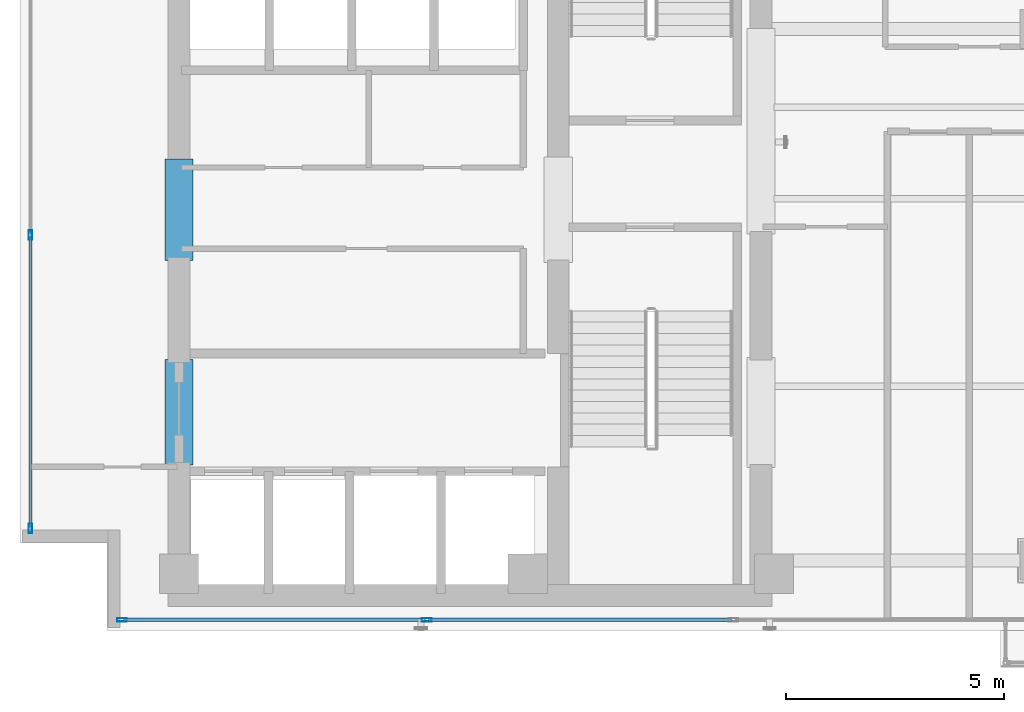
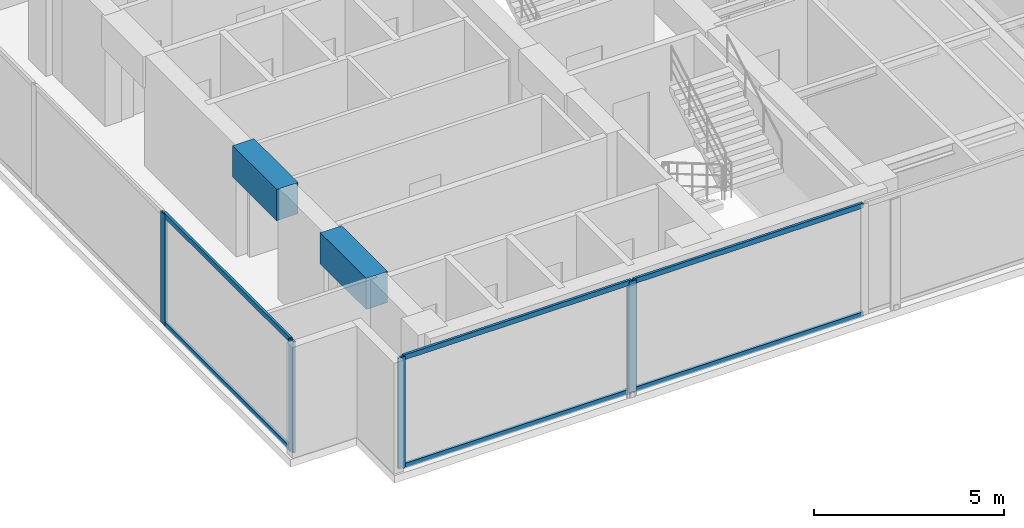
# One storey, part 2 of 22: 10 members, 2 beams, 2 elements without a shape of their own.
"""IFC4 building model written with IfcOpenShell, lengths in metres."""

from ifc_helpers import new_model, si_unit, direction, frame, origin, origin_with_axes, origin_2d, place, context, subcontext, project, spatial, rectangle, hollow_rectangle, extrude, source, transform, mapped, material, layer, layer_set, material_profile, profile_set, type_object, element, aggregate, save


model = new_model("IFC4")

# Units and contexts
model_context = context("Model", 3, precision=1e-05, world=origin(), true_north=direction((0.0, 1.0)))
body_context = subcontext(model_context, "Body", "Model", "MODEL_VIEW")
ifc_project = project(units=[si_unit("LENGTHUNIT", "METRE"), si_unit("AREAUNIT", "SQUARE_METRE"), si_unit("VOLUMEUNIT", "CUBIC_METRE"), si_unit("PLANEANGLEUNIT", "RADIAN"), si_unit("MASSUNIT", "GRAM", prefix="KILO")], contexts=[model_context])

# Site, building, storey
site_placement = place(None, origin())
site = spatial("IfcSite", under=ifc_project, at=site_placement, CompositionType="ELEMENT")
building_placement = place(site_placement, origin())
building = spatial("IfcBuilding", under=site, at=building_placement, Name="Kolvaren Waterfront Exchange", CompositionType="ELEMENT")
storey_placement = place(building_placement, frame((0.0, 0.0, 262.800048828125)))
storey = spatial("IfcBuildingStorey", under=building, at=storey_placement, Name="L67", CompositionType="ELEMENT", Elevation=262.800048828125)

# Beams
ifc_material_1 = material(Name="Concrete C60/75", Category="concrete")
ifc_material_profile_1 = material_profile(ifc_material_1, rectangle(XDim=0.64990234375, YDim=1.0, at=origin_2d()), Name="RC-CB-1000x650")
ifc_profile_set_1 = profile_set([ifc_material_profile_1], Name="Concrete C60/75")
beam_type = type_object("IfcBeamType", Name="STR-CB-1000", PredefinedType="SPANDREL", material=ifc_profile_set_1)
beam_1_placement = place(storey_placement, frame((7.449951171875, 7.389892578125, 3.06005859375), z_axis=(0.0, 1.0, 0.0), x_axis=(-1.0, 0.0, 0.0)))
element("IfcBeam", 1, at=beam_1_placement, inside=storey, type_object=beam_type, Name="L67 core coupling beam 3", PredefinedType="SPANDREL", context=body_context, shape_type="SweptSolid", body=[
    extrude(rectangle(XDim=0.64990234375, YDim=1.0, at=origin_2d()), origin(), (0.0, 0.0, 1.0), 2.420166015625),
])
beam_2_placement = place(storey_placement, frame((7.449951171875, 12.090087890625, 3.06005859375), z_axis=(0.0, 1.0, 0.0), x_axis=(-1.0, 0.0, 0.0)))
element("IfcBeam", 2, at=beam_2_placement, inside=storey, type_object=beam_type, Name="L67 core coupling beam 4", PredefinedType="SPANDREL", context=body_context, shape_type="SweptSolid", body=[
    extrude(rectangle(XDim=0.64990234375, YDim=1.0, at=origin_2d()), origin(), (0.0, 0.0, 1.0), 2.31982421875),
])

# Curtain wall, members
ifc_material_2 = material(Name="Anodised bronze aluminium 6063-T6", Category="aluminium")
ifc_layer_1 = layer(ifc_material_2, 0.219970703125, Name="Anodised bronze aluminium 6063-T6")
ifc_layer_set_1 = layer_set([ifc_layer_1], Name="Anodised bronze aluminium 6063-T6")
curtain_wall_type_1 = type_object("IfcCurtainWallType", Name="ARC-CW-SYS1", PredefinedType="USERDEFINED", material=ifc_layer_set_1)
curtain_wall_1_placement = place(storey_placement, origin())
curtain_wall_1 = element("IfcCurtainWall", 3, at=curtain_wall_1_placement, inside=storey, type_object=curtain_wall_type_1, Name="L67 stick curtain wall CW1 (CW-L67-S)", ObjectType="STICK CURTAIN WALL", PredefinedType="USERDEFINED")
ifc_material_3 = material(Name="Anodised aluminium 6063-T6", Category="aluminium")
ifc_material_profile_2 = material_profile(ifc_material_3, hollow_rectangle(XDim=0.080078125, YDim=0.219970703125, WallThickness=0.0048828125, at=origin_2d()), Name="ALU-MUL-220x80x5")
ifc_profile_set_2 = profile_set([ifc_material_profile_2], Name="Anodised aluminium 6063-T6")
member_type_1 = type_object("IfcMemberType", Name="ARC-CWM-220", PredefinedType="MULLION", material=ifc_profile_set_2)
shared_shape_1 = source(origin_with_axes(), body_context, "Body", "SweptSolid", [
    extrude(hollow_rectangle(XDim=0.080078125, YDim=0.219970703125, WallThickness=0.0048828125, at=origin_2d()), origin(), (0.0, 0.0, 1.0), 3.56005859375),
])
member_1_placement = place(storey_placement, frame((6.139892578125, 3.840087890625, 0.0), z_axis=(0.0, 0.0, 1.0), x_axis=(0.0, 1.0, 0.0)))
member_1 = element("IfcMember", 4, at=member_1_placement, type_object=member_type_1, Name="CW1 mullion 1", PredefinedType="MULLION", context=body_context, shape_type="MappedRepresentation", body=[
    mapped(shared_shape_1, transform((0.0, 0.0, 0.0), x_axis=(1.0, 0.0, 0.0), y_axis=(0.0, 1.0, 0.0), z_axis=(0.0, 0.0, 1.0), scale=1.0)),
])
member_2_placement = place(storey_placement, frame((13.13330078125, 3.840087890625, 0.0), z_axis=(0.0, 0.0, 1.0), x_axis=(0.0, 1.0, 0.0)))
member_2 = element("IfcMember", 5, at=member_2_placement, type_object=member_type_1, Name="CW1 mullion 2", PredefinedType="MULLION", context=body_context, shape_type="MappedRepresentation", body=[
    mapped(shared_shape_1, transform((0.0, 0.0, 0.0), x_axis=(1.0, 0.0, 0.0), y_axis=(0.0, 1.0, 0.0), z_axis=(0.0, 0.0, 1.0), scale=1.0)),
])

ifc_layer_2 = layer(ifc_material_3, 0.219970703125, Name="Anodised aluminium 6063-T6")
ifc_layer_set_2 = layer_set([ifc_layer_2], Name="Anodised aluminium 6063-T6")
curtain_wall_type_2 = type_object("IfcCurtainWallType", Name="ARC-CW-SYS2", PredefinedType="USERDEFINED", material=ifc_layer_set_2)
curtain_wall_2_placement = place(storey_placement, origin())
curtain_wall_2 = element("IfcCurtainWall", 6, at=curtain_wall_2_placement, inside=storey, type_object=curtain_wall_type_2, Name="L67 stick curtain wall CW2 (CW-L67-W)", ObjectType="STICK CURTAIN WALL", PredefinedType="USERDEFINED")
member_3_placement = place(storey_placement, frame((4.0400390625, 5.93994140625, 0.0), z_axis=(0.0, 0.0, 1.0), x_axis=(-1.0, 0.0, 0.0)))
member_3 = element("IfcMember", 7, at=member_3_placement, type_object=member_type_1, Name="CW2 mullion 1", PredefinedType="MULLION", context=body_context, shape_type="MappedRepresentation", body=[
    mapped(shared_shape_1, transform((0.0, 0.0, 0.0), x_axis=(1.0, 0.0, 0.0), y_axis=(0.0, 1.0, 0.0), z_axis=(0.0, 0.0, 1.0), scale=1.0)),
])
member_4_placement = place(storey_placement, frame((4.0400390625, 12.666748046875, 0.0), z_axis=(0.0, 0.0, 1.0), x_axis=(-1.0, 0.0, 0.0)))
member_4 = element("IfcMember", 8, at=member_4_placement, type_object=member_type_1, Name="CW2 mullion 2", PredefinedType="MULLION", context=body_context, shape_type="MappedRepresentation", body=[
    mapped(shared_shape_1, transform((0.0, 0.0, 0.0), x_axis=(1.0, 0.0, 0.0), y_axis=(0.0, 1.0, 0.0), z_axis=(0.0, 0.0, 1.0), scale=1.0)),
])
ifc_material_profile_3 = material_profile(ifc_material_3, hollow_rectangle(XDim=0.074951171875, YDim=0.159912109375, WallThickness=0.00439453125, at=origin_2d()), Name="ALU-TRN-160x75x4.5")
ifc_profile_set_3 = profile_set([ifc_material_profile_3], Name="Anodised aluminium 6063-T6")
member_type_2 = type_object("IfcMemberType", Name="ARC-CWT-160", PredefinedType="USERDEFINED", material=ifc_profile_set_3)
shared_shape_2 = source(origin_with_axes(), body_context, "Body", "SweptSolid", [
    extrude(hollow_rectangle(XDim=0.074951171875, YDim=0.159912109375, WallThickness=0.00439453125, at=origin_2d()), origin(), (0.0, 0.0, 1.0), 6.646728515625),
])
member_5_placement = place(storey_placement, frame((4.0400390625, 5.97998046875, 0.037353515625), z_axis=(0.0, 1.0, 0.0), x_axis=(-1.0, 0.0, 0.0)))
member_5 = element("IfcMember", 9, at=member_5_placement, type_object=member_type_2, Name="CW2 transom 1.1", ObjectType="TRANSOM", PredefinedType="USERDEFINED", context=body_context, shape_type="MappedRepresentation", body=[
    mapped(shared_shape_2, transform((0.0, 0.0, 0.0), x_axis=(1.0, 0.0, 0.0), y_axis=(0.0, 1.0, 0.0), z_axis=(0.0, 0.0, 1.0), scale=1.0)),
])
member_6_placement = place(storey_placement, frame((4.0400390625, 5.97998046875, 3.5224609375), z_axis=(0.0, 1.0, 0.0), x_axis=(-1.0, 0.0, 0.0)))
member_6 = element("IfcMember", 10, at=member_6_placement, type_object=member_type_2, Name="CW2 transom 1.2", ObjectType="TRANSOM", PredefinedType="USERDEFINED", context=body_context, shape_type="MappedRepresentation", body=[
    mapped(shared_shape_2, transform((0.0, 0.0, 0.0), x_axis=(1.0, 0.0, 0.0), y_axis=(0.0, 1.0, 0.0), z_axis=(0.0, 0.0, 1.0), scale=1.0)),
])
aggregate(curtain_wall_2, [member_3, member_4, member_5, member_6])

# Member
shared_shape_3 = source(origin_with_axes(), body_context, "Body", "SweptSolid", [
    extrude(hollow_rectangle(XDim=0.074951171875, YDim=0.159912109375, WallThickness=0.00439453125, at=origin_2d()), origin(), (0.0, 0.0, 1.0), 6.913330078125),
])
member_7_placement = place(storey_placement, frame((6.179931640625, 3.840087890625, 0.037353515625), z_axis=(1.0, 0.0, 0.0), x_axis=(0.0, 1.0, 0.0)))
member_7 = element("IfcMember", 11, at=member_7_placement, type_object=member_type_2, Name="CW1 transom 1.1", ObjectType="TRANSOM", PredefinedType="USERDEFINED", context=body_context, shape_type="MappedRepresentation", body=[
    mapped(shared_shape_3, transform((0.0, 0.0, 0.0), x_axis=(1.0, 0.0, 0.0), y_axis=(0.0, 1.0, 0.0), z_axis=(0.0, 0.0, 1.0), scale=1.0)),
])

member_8_placement = place(storey_placement, frame((6.179931640625, 3.840087890625, 3.5224609375), z_axis=(1.0, 0.0, 0.0), x_axis=(0.0, 1.0, 0.0)))
member_8 = element("IfcMember", 12, at=member_8_placement, type_object=member_type_2, Name="CW1 transom 1.2", ObjectType="TRANSOM", PredefinedType="USERDEFINED", context=body_context, shape_type="MappedRepresentation", body=[
    mapped(shared_shape_3, transform((0.0, 0.0, 0.0), x_axis=(1.0, 0.0, 0.0), y_axis=(0.0, 1.0, 0.0), z_axis=(0.0, 0.0, 1.0), scale=1.0)),
])

shared_shape_4 = source(origin_with_axes(), body_context, "Body", "SweptSolid", [
    extrude(hollow_rectangle(XDim=0.074951171875, YDim=0.159912109375, WallThickness=0.00439453125, at=origin_2d()), origin(), (0.0, 0.0, 1.0), 6.953369140625),
])
member_9_placement = place(storey_placement, frame((13.17333984375, 3.840087890625, 0.037353515625), z_axis=(1.0, 0.0, 0.0), x_axis=(0.0, 1.0, 0.0)))
member_9 = element("IfcMember", 13, at=member_9_placement, type_object=member_type_2, Name="CW1 transom 2.1", ObjectType="TRANSOM", PredefinedType="USERDEFINED", context=body_context, shape_type="MappedRepresentation", body=[
    mapped(shared_shape_4, transform((0.0, 0.0, 0.0), x_axis=(1.0, 0.0, 0.0), y_axis=(0.0, 1.0, 0.0), z_axis=(0.0, 0.0, 1.0), scale=1.0)),
])

member_10_placement = place(storey_placement, frame((13.17333984375, 3.840087890625, 3.5224609375), z_axis=(1.0, 0.0, 0.0), x_axis=(0.0, 1.0, 0.0)))
member_10 = element("IfcMember", 14, at=member_10_placement, type_object=member_type_2, Name="CW1 transom 2.2", ObjectType="TRANSOM", PredefinedType="USERDEFINED", context=body_context, shape_type="MappedRepresentation", body=[
    mapped(shared_shape_4, transform((0.0, 0.0, 0.0), x_axis=(1.0, 0.0, 0.0), y_axis=(0.0, 1.0, 0.0), z_axis=(0.0, 0.0, 1.0), scale=1.0)),
])

aggregate(curtain_wall_1, [member_1, member_2, member_7, member_8, member_9, member_10])

save(model, "model.ifc")
